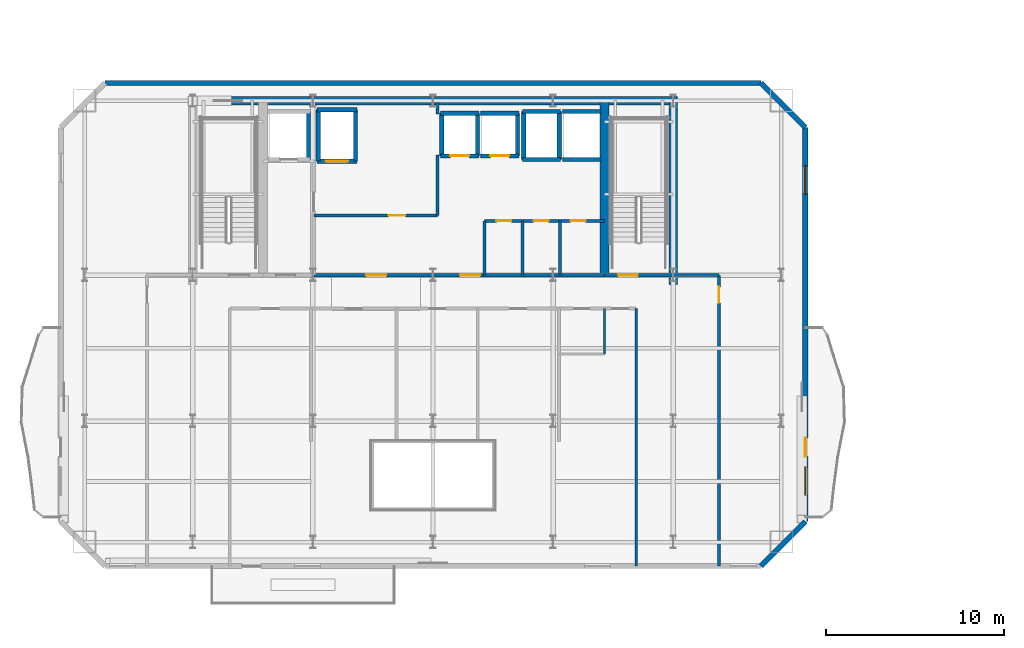
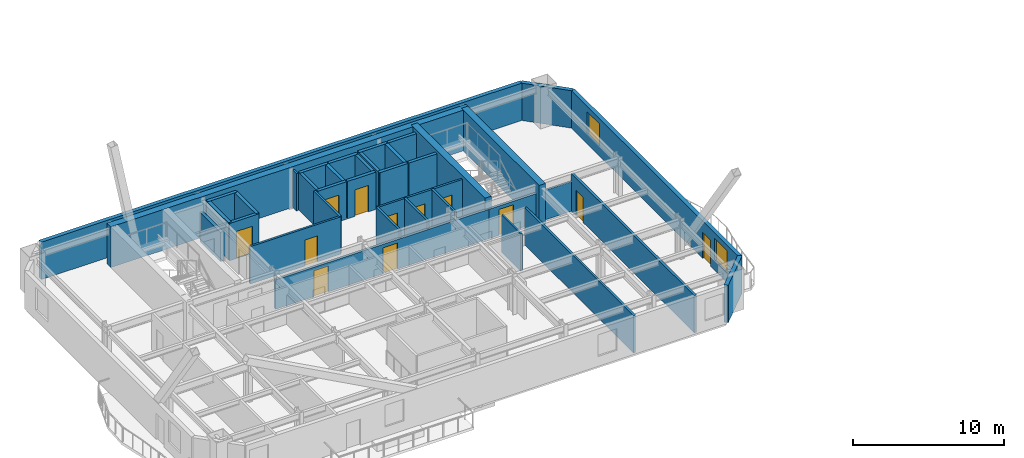
# One storey, part 6 of 13: 38 walls, 12 doors, 2 windows, 14 openings.
"""IFC4 building model written with IfcOpenShell, lengths in metres."""

from ifc_helpers import new_model, si_unit, direction, frame, frame_2d, origin, place, context, subcontext, project, spatial, rectangle, extrude, material, layer, layer_set, type_object, element, fill, save


model = new_model("IFC4")

# Units and contexts
model_context = context("Model", 3, precision=1e-05, world=origin(), true_north=direction((0.0, 1.0)))
body_context = subcontext(model_context, "Body", "Model", "MODEL_VIEW")
ifc_project = project(units=[si_unit("LENGTHUNIT", "METRE"), si_unit("AREAUNIT", "SQUARE_METRE"), si_unit("VOLUMEUNIT", "CUBIC_METRE"), si_unit("PLANEANGLEUNIT", "RADIAN"), si_unit("MASSUNIT", "GRAM", prefix="KILO")], contexts=[model_context])

# Site, building, storey
site_placement = place(None, origin())
site = spatial("IfcSite", under=ifc_project, at=site_placement, CompositionType="ELEMENT")
building_placement = place(site_placement, origin())
building = spatial("IfcBuilding", under=site, at=building_placement, Name="Haevon Station Towers", CompositionType="ELEMENT")
storey_placement = place(building_placement, frame((0.0, 0.0, 165.89990234375)))
storey = spatial("IfcBuildingStorey", under=building, at=storey_placement, Name="L45", CompositionType="ELEMENT", Elevation=165.89990234375)

# Wall, opening, door
ifc_material_1 = material(Name="Gypsum board on steel stud", Category="steel")
ifc_layer_1 = layer(ifc_material_1, 0.179931640625)
ifc_layer_set_1 = layer_set([ifc_layer_1], Name="Gypsum board on steel stud")
wall_type_1 = type_object("IfcWallType", Name="WL-ACU180", PredefinedType="PARTITIONING", material=ifc_layer_set_1)
wall_1_placement = place(storey_placement, frame((53.574951171875, 21.85009765625, 0.0), z_axis=(0.0, 0.0, 1.0), x_axis=(0.0, 1.0, 0.0)))
wall_1 = element("IfcWall", 1, at=wall_1_placement, inside=storey, type_object=wall_type_1, Name="WL-T1PT-L45-06", PredefinedType="PARTITIONING", context=body_context, shape_type="SweptSolid", body=[
    extrude(rectangle(XDim=16.349853515625, YDim=0.179931640625, at=frame_2d((8.1748046875, 0.0))), origin(), (0.0, 0.0, 1.0), 3.030029296875),
])
opening_1_placement = place(wall_1_placement, frame((14.7900390625, 0.0, 0.0)))
opening_1 = element("IfcOpeningElement", 2, at=opening_1_placement, cuts=wall_1, Name="Opening DR-WL-T1PT-L45-06-01", PredefinedType="OPENING", context=body_context, shape_type="SweptSolid", body=[
    extrude(rectangle(XDim=0.89990234375, YDim=2.050048828125, at=frame_2d((0.449951171875, 1.02490234375))), frame((0.0, 0.099853515625, 0.0), z_axis=(0.0, -1.0, 0.0), x_axis=(1.0, 0.0, 0.0)), (0.0, 0.0, 1.0), 0.199951171875),
])
ifc_material_2 = material(Name="Engineered oak timber", Category="wood")
door_type_1 = type_object("IfcDoorType", Name="DR-INT-900", OperationType="NOTDEFINED", PredefinedType="DOOR", material=ifc_material_2)
door_1_placement = place(opening_1_placement, origin())
door_1 = element("IfcDoor", 3, at=door_1_placement, inside=storey, type_object=door_type_1, Name="L45 Tower 1 Room Door 6-1", OperationType="SINGLE_SWING_RIGHT", OverallHeight=2.050048828125, OverallWidth=0.89990234375, PredefinedType="DOOR", context=body_context, shape_type="SweptSolid", body=[
    extrude(rectangle(XDim=0.89990234375, YDim=2.050048828125, at=frame_2d((0.449951171875, 1.02490234375))), frame((0.0, 0.02490234375, 0.0), z_axis=(0.0, -1.0, 0.0), x_axis=(1.0, 0.0, 0.0)), (0.0, 0.0, 1.0), 0.050048828125),
])
fill(opening_1, door_1)

ifc_layer_2 = layer(ifc_material_1, 0.199951171875)
ifc_layer_set_2 = layer_set([ifc_layer_2], Name="Gypsum board on steel stud")
wall_type_2 = type_object("IfcWallType", Name="WL-COR200", PredefinedType="PARTITIONING", material=ifc_layer_set_2)
wall_2_placement = place(storey_placement, frame((47.14990234375, 38.199951171875, 0.0), z_axis=(0.0, 0.0, 1.0), x_axis=(1.0, 0.0, 0.0)))
wall_2 = element("IfcWall", 4, at=wall_2_placement, inside=storey, type_object=wall_type_2, Name="WL-ST-ST2-L45", PredefinedType="PARTITIONING", context=body_context, shape_type="SweptSolid", body=[
    extrude(rectangle(XDim=3.85009765625, YDim=0.199951171875, at=frame_2d((1.925048828125, 0.0))), origin(), (0.0, 0.0, 1.0), 2.380126953125),
])
opening_2_placement = place(wall_2_placement, frame((0.75, 0.0, 0.0)))
opening_2 = element("IfcOpeningElement", 5, at=opening_2_placement, cuts=wall_2, Name="Opening DR-ST-ST2-L45", PredefinedType="OPENING", context=body_context, shape_type="SweptSolid", body=[
    extrude(rectangle(XDim=1.1201171875, YDim=2.10009765625, at=frame_2d((0.56005859375, 1.050048828125))), frame((0.0, 0.10986328125, 0.0), z_axis=(0.0, -1.0, 0.0), x_axis=(1.0, 0.0, 0.0)), (0.0, 0.0, 1.0), 0.219970703125),
])
door_type_2 = type_object("IfcDoorType", Name="DR-ST-1120", OperationType="NOTDEFINED", PredefinedType="DOOR", material=ifc_material_2)
door_2_placement = place(opening_2_placement, origin())
door_2 = element("IfcDoor", 6, at=door_2_placement, inside=storey, type_object=door_type_2, Name="L45 Escape Stair ST2 Fire Door", OperationType="SINGLE_SWING_RIGHT", OverallHeight=2.10009765625, OverallWidth=1.1201171875, PredefinedType="DOOR", context=body_context, shape_type="SweptSolid", body=[
    extrude(rectangle(XDim=1.1201171875, YDim=2.10009765625, at=frame_2d((0.56005859375, 1.050048828125))), frame((0.0, 0.02490234375, 0.0), z_axis=(0.0, -1.0, 0.0), x_axis=(1.0, 0.0, 0.0)), (0.0, 0.0, 1.0), 0.050048828125),
])
fill(opening_2, door_2)

# Wall, openings, doors
wall_3_placement = place(storey_placement, frame((30.800048828125, 38.199951171875, 0.0), z_axis=(0.0, 0.0, 1.0), x_axis=(1.0, 0.0, 0.0)))
wall_3 = element("IfcWall", 7, at=wall_3_placement, inside=storey, type_object=wall_type_2, Name="WL-T1CLB-L45", PredefinedType="PARTITIONING", context=body_context, shape_type="SweptSolid", body=[
    extrude(rectangle(XDim=16.349853515625, YDim=0.199951171875, at=frame_2d((8.1748046875, 0.0))), origin(), (0.0, 0.0, 1.0), 2.380126953125),
])
opening_3_placement = place(wall_3_placement, frame((2.949951171875, 0.0, 0.0)))
opening_3 = element("IfcOpeningElement", 8, at=opening_3_placement, cuts=wall_3, Name="Opening DR-T1CLB-L45-1", PredefinedType="OPENING", context=body_context, shape_type="SweptSolid", body=[
    extrude(rectangle(XDim=1.1201171875, YDim=2.10009765625, at=frame_2d((0.56005859375, 1.050048828125))), frame((0.0, 0.10986328125, 0.0), z_axis=(0.0, -1.0, 0.0), x_axis=(1.0, 0.0, 0.0)), (0.0, 0.0, 1.0), 0.219970703125),
])
opening_4_placement = place(wall_3_placement, frame((8.22998046875, 0.0, 0.0)))
opening_4 = element("IfcOpeningElement", 9, at=opening_4_placement, cuts=wall_3, Name="Opening DR-T1CLB-L45-2", PredefinedType="OPENING", context=body_context, shape_type="SweptSolid", body=[
    extrude(rectangle(XDim=1.1201171875, YDim=2.10009765625, at=frame_2d((0.56005859375, 1.050048828125))), frame((0.0, 0.10986328125, 0.0), z_axis=(0.0, -1.0, 0.0), x_axis=(1.0, 0.0, 0.0)), (0.0, 0.0, 1.0), 0.219970703125),
])
door_3_placement = place(opening_3_placement, origin())
door_3 = element("IfcDoor", 10, at=door_3_placement, inside=storey, type_object=door_type_2, Name="L45 Tower 1 Core Lift Lobby Door 1", OperationType="SINGLE_SWING_LEFT", OverallHeight=2.10009765625, OverallWidth=1.1201171875, PredefinedType="DOOR", context=body_context, shape_type="SweptSolid", body=[
    extrude(rectangle(XDim=1.1201171875, YDim=2.10009765625, at=frame_2d((0.56005859375, 1.050048828125))), frame((0.0, 0.02490234375, 0.0), z_axis=(0.0, -1.0, 0.0), x_axis=(1.0, 0.0, 0.0)), (0.0, 0.0, 1.0), 0.050048828125),
])
fill(opening_3, door_3)
door_4_placement = place(opening_4_placement, origin())
door_4 = element("IfcDoor", 11, at=door_4_placement, inside=storey, type_object=door_type_2, Name="L45 Tower 1 Core Lift Lobby Door 2", OperationType="SINGLE_SWING_RIGHT", OverallHeight=2.10009765625, OverallWidth=1.1201171875, PredefinedType="DOOR", context=body_context, shape_type="SweptSolid", body=[
    extrude(rectangle(XDim=1.1201171875, YDim=2.10009765625, at=frame_2d((0.56005859375, 1.050048828125))), frame((0.0, 0.02490234375, 0.0), z_axis=(0.0, -1.0, 0.0), x_axis=(1.0, 0.0, 0.0)), (0.0, 0.0, 1.0), 0.050048828125),
])
fill(opening_4, door_4)

# Walls
ifc_material_3 = material(Name="Concrete C60/75", Category="concrete")
ifc_layer_3 = layer(ifc_material_3, 0.5)
ifc_layer_set_3 = layer_set([ifc_layer_3], Name="Concrete C60/75")
wall_type_3 = type_object("IfcWallType", Name="WL-CR500", PredefinedType="SHEAR", material=ifc_layer_set_3)
wall_4_placement = place(storey_placement, frame((23.75, 48.0, 0.0), z_axis=(0.0, 0.0, 1.0), x_axis=(1.0, 0.0, 0.0)))
element("IfcWall", 12, at=wall_4_placement, inside=storey, type_object=wall_type_3, Name="WL-T1CR-L45-N", PredefinedType="SHEAR", context=body_context, shape_type="SweptSolid", body=[
    extrude(rectangle(XDim=27.5, YDim=0.5, at=frame_2d((13.75, 0.0))), origin(), (0.0, 0.0, 1.0), 3.300048828125),
])
wall_5_placement = place(storey_placement, frame((51.0, 37.679931640625, 0.0), z_axis=(0.0, 0.0, 1.0), x_axis=(0.0, 1.0, 0.0)))
element("IfcWall", 13, at=wall_5_placement, inside=storey, type_object=wall_type_3, Name="WL-T1CR-L45-E", PredefinedType="SHEAR", context=body_context, shape_type="SweptSolid", body=[
    extrude(rectangle(XDim=10.320068359375, YDim=0.5, at=frame_2d((5.16015625, 0.0))), origin(), (0.0, 0.0, 1.0), 3.300048828125),
])
wall_6_placement = place(storey_placement, frame((47.14990234375, 38.199951171875, 0.0), z_axis=(0.0, 0.0, 1.0), x_axis=(0.0, 1.0, 0.0)))
element("IfcWall", 14, at=wall_6_placement, inside=storey, type_object=wall_type_3, Name="WL-T1CR-L45-M2", PredefinedType="SHEAR", context=body_context, shape_type="SweptSolid", body=[
    extrude(rectangle(XDim=9.800048828125, YDim=0.5, at=frame_2d((4.89990234375, 0.0))), origin(), (0.0, 0.0, 1.0), 3.300048828125),
])
ifc_material_4 = material(Name="Precast concrete C45/55", Category="concrete")
ifc_layer_4 = layer(ifc_material_4, 0.300048828125)
ifc_layer_set_4 = layer_set([ifc_layer_4], Name="Precast concrete C45/55")
wall_type_4 = type_object("IfcWallType", Name="WL-EXT-PIER300", PredefinedType="SOLIDWALL", material=ifc_layer_set_4)
wall_7_placement = place(storey_placement, frame((19.074951171875, 49.0, 0.0), z_axis=(0.0, 0.0, 1.0), x_axis=(1.0, 0.0, 0.0)))
element("IfcWall", 15, at=wall_7_placement, inside=storey, type_object=wall_type_4, Name="WL-T1-L45-N", PredefinedType="SOLIDWALL", context=body_context, shape_type="SweptSolid", body=[
    extrude(rectangle(XDim=36.85009765625, YDim=0.300048828125, at=frame_2d((18.425048828125, 0.0))), origin(), (0.0, 0.0, 1.0), 3.030029296875),
])
wall_8_placement = place(storey_placement, frame((55.925048828125, 49.0, 0.0), z_axis=(0.0, 0.0, 1.0), x_axis=(0.707106781187, -0.707106781187, 0.0)))
element("IfcWall", 16, at=wall_8_placement, inside=storey, type_object=wall_type_4, Name="WL-T1-L45-NEC", PredefinedType="SOLIDWALL", context=body_context, shape_type="SweptSolid", body=[
    extrude(rectangle(XDim=3.53564453125, YDim=0.300048828125, at=frame_2d((1.767822265625, 0.0))), origin(), (0.0, 0.0, 1.0), 3.030029296875),
])

# Wall, openings, door, windows
wall_9_placement = place(storey_placement, frame((58.425048828125, 46.5, 0.0), z_axis=(0.0, 0.0, 1.0), x_axis=(0.0, -1.0, 0.0)))
wall_9 = element("IfcWall", 17, at=wall_9_placement, inside=storey, type_object=wall_type_4, Name="WL-T1-L45-E", PredefinedType="SOLIDWALL", context=body_context, shape_type="SweptSolid", body=[
    extrude(rectangle(XDim=22.14990234375, YDim=0.300048828125, at=frame_2d((11.074951171875, 0.0))), origin(), (0.0, 0.0, 1.0), 3.030029296875),
])
opening_5_placement = place(wall_9_placement, frame((17.449951171875, 0.0, 0.0)))
opening_5 = element("IfcOpeningElement", 18, at=opening_5_placement, cuts=wall_9, Name="Opening DR-T1-SCAL-L45-E", PredefinedType="OPENING", context=body_context, shape_type="SweptSolid", body=[
    extrude(rectangle(XDim=1.050048828125, YDim=2.10009765625, at=frame_2d((0.52490234375, 1.050048828125))), frame((0.0, 0.159912109375, 0.0), z_axis=(0.0, -1.0, 0.0), x_axis=(1.0, 0.0, 0.0)), (0.0, 0.0, 1.0), 0.320068359375),
])
opening_6_placement = place(wall_9_placement, frame((2.153564453125, 0.0, 0.800048828125)))
opening_6 = element("IfcOpeningElement", 19, at=opening_6_placement, cuts=wall_9, Name="Opening WN-END160", PredefinedType="OPENING", context=body_context, shape_type="SweptSolid", body=[
    extrude(rectangle(XDim=1.60009765625, YDim=1.800048828125, at=frame_2d((0.800048828125, 0.89990234375))), frame((0.0, 0.159912109375, 0.0), z_axis=(0.0, -1.0, 0.0), x_axis=(1.0, 0.0, 0.0)), (0.0, 0.0, 1.0), 0.320068359375),
])
opening_7_placement = place(wall_9_placement, frame((19.0732421875, 0.0, 0.800048828125)))
opening_7 = element("IfcOpeningElement", 20, at=opening_7_placement, cuts=wall_9, Name="Opening WN-END160", PredefinedType="OPENING", context=body_context, shape_type="SweptSolid", body=[
    extrude(rectangle(XDim=1.60009765625, YDim=1.800048828125, at=frame_2d((0.800048828125, 0.89990234375))), frame((0.0, 0.159912109375, 0.0), z_axis=(0.0, -1.0, 0.0), x_axis=(1.0, 0.0, 0.0)), (0.0, 0.0, 1.0), 0.320068359375),
])
ifc_material_5 = material(Name="Thermally broken anodised aluminium and laminated safety glass", Category="aluminium")
door_type_3 = type_object("IfcDoorType", Name="DR-BALC-1050", OperationType="NOTDEFINED", PredefinedType="DOOR", material=ifc_material_5)
door_5_placement = place(opening_5_placement, origin())
door_5 = element("IfcDoor", 21, at=door_5_placement, inside=storey, type_object=door_type_3, Name="Tower 1 L45 East Scalloped Balcony Door", OperationType="SINGLE_SWING_LEFT", OverallHeight=2.10009765625, OverallWidth=1.050048828125, PredefinedType="DOOR", context=body_context, shape_type="SweptSolid", body=[
    extrude(rectangle(XDim=1.050048828125, YDim=2.10009765625, at=frame_2d((0.52490234375, 1.050048828125))), frame((0.0, 0.02490234375, 0.0), z_axis=(0.0, -1.0, 0.0), x_axis=(1.0, 0.0, 0.0)), (0.0, 0.0, 1.0), 0.050048828125),
])
fill(opening_5, door_5)
ifc_material_6 = material(Name="Low-E triple glazing in thermally broken aluminium", Category="aluminium")
window_type = type_object("IfcWindowType", Name="WN-END160", PartitioningType="SINGLE_PANEL", PredefinedType="WINDOW", material=ifc_material_6)
window_1_placement = place(opening_6_placement, origin())
window_1 = element("IfcWindow", 22, at=window_1_placement, inside=storey, type_object=window_type, Name="WN-T1-L45-E01", OverallHeight=1.800048828125, OverallWidth=1.60009765625, PartitioningType="SINGLE_PANEL", PredefinedType="WINDOW", context=body_context, shape_type="SweptSolid", body=[
    extrude(rectangle(XDim=1.60009765625, YDim=1.800048828125, at=frame_2d((0.800048828125, 0.89990234375))), frame((0.0, 0.030029296875, 0.0), z_axis=(0.0, -1.0, 0.0), x_axis=(1.0, 0.0, 0.0)), (0.0, 0.0, 1.0), 0.06005859375),
])
fill(opening_6, window_1)
window_2_placement = place(opening_7_placement, origin())
window_2 = element("IfcWindow", 23, at=window_2_placement, inside=storey, type_object=window_type, Name="WN-T1-L45-E02", OverallHeight=1.800048828125, OverallWidth=1.60009765625, PartitioningType="SINGLE_PANEL", PredefinedType="WINDOW", context=body_context, shape_type="SweptSolid", body=[
    extrude(rectangle(XDim=1.60009765625, YDim=1.800048828125, at=frame_2d((0.800048828125, 0.89990234375))), frame((0.0, 0.030029296875, 0.0), z_axis=(0.0, -1.0, 0.0), x_axis=(1.0, 0.0, 0.0)), (0.0, 0.0, 1.0), 0.06005859375),
])
fill(opening_7, window_2)

# Walls
wall_10_placement = place(storey_placement, frame((58.425048828125, 24.35009765625, 0.0), z_axis=(0.0, 0.0, 1.0), x_axis=(-0.707106781187, -0.707106781187, 0.0)))
element("IfcWall", 24, at=wall_10_placement, inside=storey, type_object=wall_type_4, Name="WL-T1-L45-SEC", PredefinedType="SOLIDWALL", context=body_context, shape_type="SweptSolid", body=[
    extrude(rectangle(XDim=3.53564453125, YDim=0.300048828125, at=frame_2d((1.767822265625, 0.0))), origin(), (0.0, 0.0, 1.0), 3.030029296875),
])
ifc_layer_5 = layer(ifc_material_1, 0.125)
ifc_layer_set_5 = layer_set([ifc_layer_5], Name="Gypsum board on steel stud")
wall_type_5 = type_object("IfcWallType", Name="WL-PRT125", PredefinedType="PARTITIONING", material=ifc_layer_set_5)
wall_11_placement = place(storey_placement, frame((47.139892578125, 33.77001953125, 0.0), z_axis=(0.0, 0.0, 1.0), x_axis=(0.0, 1.0, 0.0)))
element("IfcWall", 25, at=wall_11_placement, inside=storey, type_object=wall_type_5, Name="WL-T1PT-L45-19", PredefinedType="PARTITIONING", context=body_context, shape_type="SweptSolid", body=[
    extrude(rectangle(XDim=2.550048828125, YDim=0.125, at=frame_2d((1.27490234375, 0.0))), origin(), (0.0, 0.0, 1.0), 3.030029296875),
])

# Wall, opening, door
ifc_layer_6 = layer(ifc_material_1, 0.159912109375)
ifc_layer_set_6 = layer_set([ifc_layer_6], Name="Gypsum board on steel stud")
wall_type_6 = type_object("IfcWallType", Name="WL-PRT160", PredefinedType="PARTITIONING", material=ifc_layer_set_6)
wall_12_placement = place(storey_placement, frame((30.800048828125, 41.550048828125, 0.0), z_axis=(0.0, 0.0, 1.0), x_axis=(1.0, 0.0, 0.0)))
wall_12 = element("IfcWall", 26, at=wall_12_placement, inside=storey, type_object=wall_type_6, Name="WL-T1CW-L45-01", PredefinedType="PARTITIONING", context=body_context, shape_type="SweptSolid", body=[
    extrude(rectangle(XDim=6.949951171875, YDim=0.159912109375, at=frame_2d((3.47509765625, 0.0))), origin(), (0.0, 0.0, 1.0), 3.030029296875),
])
opening_8_placement = place(wall_12_placement, frame((4.199951171875, 0.0, 0.0)))
opening_8 = element("IfcOpeningElement", 27, at=opening_8_placement, cuts=wall_12, Name="Opening DR-WL-T1CW-L45-01-1", PredefinedType="OPENING", context=body_context, shape_type="SweptSolid", body=[
    extrude(rectangle(XDim=0.949951171875, YDim=2.10009765625, at=frame_2d((0.47509765625, 1.050048828125))), frame((0.0, 0.08984375, 0.0), z_axis=(0.0, -1.0, 0.0), x_axis=(1.0, 0.0, 0.0)), (0.0, 0.0, 1.0), 0.179931640625),
])
door_type_4 = type_object("IfcDoorType", Name="DR-FD60-950", OperationType="NOTDEFINED", PredefinedType="DOOR", material=ifc_material_2)
door_6_placement = place(opening_8_placement, origin())
door_6 = element("IfcDoor", 28, at=door_6_placement, inside=storey, type_object=door_type_4, Name="L45 Tower 1 Core Room Door 1-1", OperationType="SINGLE_SWING_LEFT", OverallHeight=2.10009765625, OverallWidth=0.949951171875, PredefinedType="DOOR", context=body_context, shape_type="SweptSolid", body=[
    extrude(rectangle(XDim=0.949951171875, YDim=2.10009765625, at=frame_2d((0.47509765625, 1.050048828125))), frame((0.0, 0.02490234375, 0.0), z_axis=(0.0, -1.0, 0.0), x_axis=(1.0, 0.0, 0.0)), (0.0, 0.0, 1.0), 0.050048828125),
])
fill(opening_8, door_6)

# Walls
wall_13_placement = place(storey_placement, frame((37.75, 41.550048828125, 0.0), z_axis=(0.0, 0.0, 1.0), x_axis=(0.0, 1.0, 0.0)))
element("IfcWall", 29, at=wall_13_placement, inside=storey, type_object=wall_type_6, Name="WL-T1CW-L45-02", PredefinedType="PARTITIONING", context=body_context, shape_type="SweptSolid", body=[
    extrude(rectangle(XDim=3.39990234375, YDim=0.159912109375, at=frame_2d((1.699951171875, 0.0))), origin(), (0.0, 0.0, 1.0), 3.030029296875),
])
wall_14_placement = place(storey_placement, frame((37.75, 47.25, 0.0), z_axis=(0.0, 0.0, 1.0), x_axis=(0.0, 1.0, 0.0)))
element("IfcWall", 30, at=wall_14_placement, inside=storey, type_object=wall_type_6, Name="WL-T1CW-L45-03", PredefinedType="PARTITIONING", context=body_context, shape_type="SweptSolid", body=[
    extrude(rectangle(XDim=0.64990234375, YDim=0.159912109375, at=frame_2d((0.324951171875, 0.0))), origin(), (0.0, 0.0, 1.0), 3.030029296875),
])
for number, where, z_axis, x_axis, name in (
    (31, (40.39990234375, 38.199951171875, 0.0), (0.0, 0.0, 1.0), (0.0, 1.0, 0.0), "WL-T1CW-L45-04"),
    (32, (42.530029296875, 38.199951171875, 0.0), (0.0, 0.0, 1.0), (0.0, 1.0, 0.0), "WL-T1CW-L45-05"),
    (33, (44.6298828125, 38.199951171875, 0.0), (0.0, 0.0, 1.0), (0.0, 1.0, 0.0), "WL-T1CW-L45-06"),
):
    element("IfcWall", number, at=place(storey_placement, frame(where, z_axis=z_axis, x_axis=x_axis)), inside=storey, type_object=wall_type_6, Name=name, PredefinedType="PARTITIONING", context=body_context, shape_type="SweptSolid", body=[
        extrude(rectangle(XDim=3.050048828125, YDim=0.159912109375, at=frame_2d((1.52490234375, 0.0))), origin(), (0.0, 0.0, 1.0), 3.030029296875),
    ])

# Wall, openings, doors
wall_15_placement = place(storey_placement, frame((40.39990234375, 41.25, 0.0), z_axis=(0.0, 0.0, 1.0), x_axis=(1.0, 0.0, 0.0)))
wall_15 = element("IfcWall", 34, at=wall_15_placement, inside=storey, type_object=wall_type_6, Name="WL-T1CW-L45-07", PredefinedType="PARTITIONING", context=body_context, shape_type="SweptSolid", body=[
    extrude(rectangle(XDim=6.75, YDim=0.159912109375, at=frame_2d((3.375, 0.0))), origin(), (0.0, 0.0, 1.0), 3.030029296875),
])
opening_9_placement = place(wall_15_placement, frame((0.659912109375, 0.0, 0.0)))
opening_9 = element("IfcOpeningElement", 35, at=opening_9_placement, cuts=wall_15, Name="Opening DR-WL-T1CW-L45-07-1", PredefinedType="OPENING", context=body_context, shape_type="SweptSolid", body=[
    extrude(rectangle(XDim=0.85009765625, YDim=2.050048828125, at=frame_2d((0.425048828125, 1.02490234375))), frame((0.0, 0.08984375, 0.0), z_axis=(0.0, -1.0, 0.0), x_axis=(1.0, 0.0, 0.0)), (0.0, 0.0, 1.0), 0.179931640625),
])
opening_10_placement = place(wall_15_placement, frame((2.7548828125, 0.0, 0.0)))
opening_10 = element("IfcOpeningElement", 36, at=opening_10_placement, cuts=wall_15, Name="Opening DR-WL-T1CW-L45-07-2", PredefinedType="OPENING", context=body_context, shape_type="SweptSolid", body=[
    extrude(rectangle(XDim=0.85009765625, YDim=2.050048828125, at=frame_2d((0.425048828125, 1.02490234375))), frame((0.0, 0.08984375, 0.0), z_axis=(0.0, -1.0, 0.0), x_axis=(1.0, 0.0, 0.0)), (0.0, 0.0, 1.0), 0.179931640625),
])
opening_11_placement = place(wall_15_placement, frame((4.830078125, 0.0, 0.0)))
opening_11 = element("IfcOpeningElement", 37, at=opening_11_placement, cuts=wall_15, Name="Opening DR-WL-T1CW-L45-07-3", PredefinedType="OPENING", context=body_context, shape_type="SweptSolid", body=[
    extrude(rectangle(XDim=0.85009765625, YDim=2.050048828125, at=frame_2d((0.425048828125, 1.02490234375))), frame((0.0, 0.08984375, 0.0), z_axis=(0.0, -1.0, 0.0), x_axis=(1.0, 0.0, 0.0)), (0.0, 0.0, 1.0), 0.179931640625),
])
door_type_5 = type_object("IfcDoorType", Name="DR-FD30-850", OperationType="NOTDEFINED", PredefinedType="DOOR", material=ifc_material_2)
door_7_placement = place(opening_9_placement, origin())
door_7 = element("IfcDoor", 38, at=door_7_placement, inside=storey, type_object=door_type_5, Name="L45 Tower 1 Core Room Door 7-1", OperationType="SINGLE_SWING_RIGHT", OverallHeight=2.050048828125, OverallWidth=0.85009765625, PredefinedType="DOOR", context=body_context, shape_type="SweptSolid", body=[
    extrude(rectangle(XDim=0.85009765625, YDim=2.050048828125, at=frame_2d((0.425048828125, 1.02490234375))), frame((0.0, 0.02490234375, 0.0), z_axis=(0.0, -1.0, 0.0), x_axis=(1.0, 0.0, 0.0)), (0.0, 0.0, 1.0), 0.050048828125),
])
fill(opening_9, door_7)
door_8_placement = place(opening_10_placement, origin())
door_8 = element("IfcDoor", 39, at=door_8_placement, inside=storey, type_object=door_type_5, Name="L45 Tower 1 Core Room Door 7-2", OperationType="SINGLE_SWING_LEFT", OverallHeight=2.050048828125, OverallWidth=0.85009765625, PredefinedType="DOOR", context=body_context, shape_type="SweptSolid", body=[
    extrude(rectangle(XDim=0.85009765625, YDim=2.050048828125, at=frame_2d((0.425048828125, 1.02490234375))), frame((0.0, 0.02490234375, 0.0), z_axis=(0.0, -1.0, 0.0), x_axis=(1.0, 0.0, 0.0)), (0.0, 0.0, 1.0), 0.050048828125),
])
fill(opening_10, door_8)
door_9_placement = place(opening_11_placement, origin())
door_9 = element("IfcDoor", 40, at=door_9_placement, inside=storey, type_object=door_type_5, Name="L45 Tower 1 Core Room Door 7-3", OperationType="SINGLE_SWING_RIGHT", OverallHeight=2.050048828125, OverallWidth=0.85009765625, PredefinedType="DOOR", context=body_context, shape_type="SweptSolid", body=[
    extrude(rectangle(XDim=0.85009765625, YDim=2.050048828125, at=frame_2d((0.425048828125, 1.02490234375))), frame((0.0, 0.02490234375, 0.0), z_axis=(0.0, -1.0, 0.0), x_axis=(1.0, 0.0, 0.0)), (0.0, 0.0, 1.0), 0.050048828125),
])
fill(opening_11, door_9)

# Walls
wall_16_placement = place(storey_placement, frame((48.919921875, 21.85009765625, 0.0), z_axis=(0.0, 0.0, 1.0), x_axis=(0.0, 1.0, 0.0)))
element("IfcWall", 41, at=wall_16_placement, inside=storey, type_object=wall_type_6, Name="WL-T1PT-L45-02", PredefinedType="PARTITIONING", context=body_context, shape_type="SweptSolid", body=[
    extrude(rectangle(XDim=14.469970703125, YDim=0.159912109375, at=frame_2d((7.23486328125, 0.0))), origin(), (0.0, 0.0, 1.0), 3.030029296875),
])
wall_17_placement = place(storey_placement, frame((51.0, 38.199951171875, 0.0), z_axis=(0.0, 0.0, 1.0), x_axis=(1.0, 0.0, 0.0)))
element("IfcWall", 42, at=wall_17_placement, inside=storey, type_object=wall_type_6, Name="WL-T1PT-L45-04", PredefinedType="PARTITIONING", context=body_context, shape_type="SweptSolid", body=[
    extrude(rectangle(XDim=2.574951171875, YDim=0.159912109375, at=frame_2d((1.28759765625, 0.0))), origin(), (0.0, 0.0, 1.0), 2.380126953125),
])
ifc_material_7 = material(Name="Concrete C40/50", Category="concrete")
ifc_layer_7 = layer(ifc_material_7, 0.239990234375)
ifc_layer_set_7 = layer_set([ifc_layer_7], Name="Concrete C40/50")
wall_type_7 = type_object("IfcWallType", Name="WL-SHF240", PredefinedType="PARTITIONING", material=ifc_layer_set_7)
wall_18_placement = place(storey_placement, frame((30.5, 44.699951171875, 0.0), z_axis=(0.0, 0.0, 1.0), x_axis=(0.0, 1.0, 0.0)))
element("IfcWall", 43, at=wall_18_placement, inside=storey, type_object=wall_type_7, Name="WL-SHF-FL1-L45-E", PredefinedType="PARTITIONING", context=body_context, shape_type="SweptSolid", body=[
    extrude(rectangle(XDim=2.699951171875, YDim=0.239990234375, at=frame_2d((1.35009765625, 0.0))), origin(), (0.0, 0.0, 1.0), 2.380126953125),
])

# Wall, opening, door
wall_19_placement = place(storey_placement, frame((30.969970703125, 44.60009765625, 0.0), z_axis=(0.0, 0.0, 1.0), x_axis=(1.0, 0.0, 0.0)))
wall_19 = element("IfcWall", 44, at=wall_19_placement, inside=storey, type_object=wall_type_7, Name="WL-SHF-SL1-L45", PredefinedType="PARTITIONING", context=body_context, shape_type="SweptSolid", body=[
    extrude(rectangle(XDim=2.260009765625, YDim=0.239990234375, at=frame_2d((1.1298828125, 0.0))), origin(), (0.0, 0.0, 1.0), 3.030029296875),
])
opening_12_placement = place(wall_19_placement, frame((0.5048828125, 0.0, 0.0)))
opening_12 = element("IfcOpeningElement", 45, at=opening_12_placement, cuts=wall_19, Name="Opening LD-SL1-L45", PredefinedType="OPENING", context=body_context, shape_type="SweptSolid", body=[
    extrude(rectangle(XDim=1.25, YDim=2.199951171875, at=frame_2d((0.625, 1.10009765625))), frame((0.0, 0.1298828125, 0.0), z_axis=(0.0, -1.0, 0.0), x_axis=(1.0, 0.0, 0.0)), (0.0, 0.0, 1.0), 0.260009765625),
])
ifc_material_8 = material(Name="Stainless steel and rated core", Category="steel")
door_type_6 = type_object("IfcDoorType", Name="LD-SL1250", OperationType="SLIDING_TO_LEFT", PredefinedType="DOOR", material=ifc_material_8)
door_10_placement = place(opening_12_placement, origin())
door_10 = element("IfcDoor", 46, at=door_10_placement, inside=storey, type_object=door_type_6, Name="L45 Lift SL1 Sliding Landing Door", OperationType="SLIDING_TO_LEFT", OverallHeight=2.199951171875, OverallWidth=1.25, PredefinedType="DOOR", context=body_context, shape_type="SweptSolid", body=[
    extrude(rectangle(XDim=1.25, YDim=2.199951171875, at=frame_2d((0.625, 1.10009765625))), frame((0.0, 0.02490234375, 0.0), z_axis=(0.0, -1.0, 0.0), x_axis=(1.0, 0.0, 0.0)), (0.0, 0.0, 1.0), 0.050048828125),
])
fill(opening_12, door_10)

# Walls
wall_20_placement = place(storey_placement, frame((30.969970703125, 47.5, 0.0), z_axis=(0.0, 0.0, 1.0), x_axis=(1.0, 0.0, 0.0)))
element("IfcWall", 47, at=wall_20_placement, inside=storey, type_object=wall_type_7, Name="WL-SHF-SL1-L45-N", PredefinedType="PARTITIONING", context=body_context, shape_type="SweptSolid", body=[
    extrude(rectangle(XDim=2.260009765625, YDim=0.239990234375, at=frame_2d((1.1298828125, 0.0))), origin(), (0.0, 0.0, 1.0), 3.030029296875),
])
for number, where, z_axis, x_axis, name in (
    (48, (31.050048828125, 44.60009765625, 0.0), (0.0, 0.0, 1.0), (0.0, 1.0, 0.0), "WL-SHF-SL1-L45-W"),
    (49, (33.14990234375, 44.60009765625, 0.0), (0.0, 0.0, 1.0), (0.0, 1.0, 0.0), "WL-SHF-SL1-L45-E"),
):
    element("IfcWall", number, at=place(storey_placement, frame(where, z_axis=z_axis, x_axis=x_axis)), inside=storey, type_object=wall_type_7, Name=name, PredefinedType="PARTITIONING", context=body_context, shape_type="SweptSolid", body=[
        extrude(rectangle(XDim=2.89990234375, YDim=0.239990234375, at=frame_2d((1.449951171875, 0.0))), origin(), (0.0, 0.0, 1.0), 3.030029296875),
    ])

# Wall, opening, door
wall_21_placement = place(storey_placement, frame((37.919921875, 44.89990234375, 0.0), z_axis=(0.0, 0.0, 1.0), x_axis=(1.0, 0.0, 0.0)))
wall_21 = element("IfcWall", 50, at=wall_21_placement, inside=storey, type_object=wall_type_7, Name="WL-SHF-PL3-L45", PredefinedType="PARTITIONING", context=body_context, shape_type="SweptSolid", body=[
    extrude(rectangle(XDim=2.16015625, YDim=0.239990234375, at=frame_2d((1.080078125, 0.0))), origin(), (0.0, 0.0, 1.0), 3.030029296875),
])
opening_13_placement = place(wall_21_placement, frame((0.554931640625, 0.0, 0.0)))
opening_13 = element("IfcOpeningElement", 51, at=opening_13_placement, cuts=wall_21, Name="Opening LD-PL3-L45", PredefinedType="OPENING", context=body_context, shape_type="SweptSolid", body=[
    extrude(rectangle(XDim=1.050048828125, YDim=2.14990234375, at=frame_2d((0.52490234375, 1.074951171875))), frame((0.0, 0.1298828125, 0.0), z_axis=(0.0, -1.0, 0.0), x_axis=(1.0, 0.0, 0.0)), (0.0, 0.0, 1.0), 0.260009765625),
])
door_type_7 = type_object("IfcDoorType", Name="LD-PL1050", OperationType="SLIDING_TO_LEFT", PredefinedType="DOOR", material=ifc_material_8)
door_11_placement = place(opening_13_placement, origin())
door_11 = element("IfcDoor", 52, at=door_11_placement, inside=storey, type_object=door_type_7, Name="L45 Lift PL3 Sliding Landing Door", OperationType="SLIDING_TO_LEFT", OverallHeight=2.14990234375, OverallWidth=1.050048828125, PredefinedType="DOOR", context=body_context, shape_type="SweptSolid", body=[
    extrude(rectangle(XDim=1.050048828125, YDim=2.14990234375, at=frame_2d((0.52490234375, 1.074951171875))), frame((0.0, 0.02490234375, 0.0), z_axis=(0.0, -1.0, 0.0), x_axis=(1.0, 0.0, 0.0)), (0.0, 0.0, 1.0), 0.050048828125),
])
fill(opening_13, door_11)

# Walls
wall_22_placement = place(storey_placement, frame((37.919921875, 47.300048828125, 0.0), z_axis=(0.0, 0.0, 1.0), x_axis=(1.0, 0.0, 0.0)))
element("IfcWall", 53, at=wall_22_placement, inside=storey, type_object=wall_type_7, Name="WL-SHF-PL3-L45-N", PredefinedType="PARTITIONING", context=body_context, shape_type="SweptSolid", body=[
    extrude(rectangle(XDim=2.16015625, YDim=0.239990234375, at=frame_2d((1.080078125, 0.0))), origin(), (0.0, 0.0, 1.0), 3.030029296875),
])
for number, where, z_axis, x_axis, name in (
    (54, (38.0, 44.89990234375, 0.0), (0.0, 0.0, 1.0), (0.0, 1.0, 0.0), "WL-SHF-PL3-L45-W"),
    (55, (40.0, 44.89990234375, 0.0), (0.0, 0.0, 1.0), (0.0, 1.0, 0.0), "WL-SHF-PL3-L45-E"),
):
    element("IfcWall", number, at=place(storey_placement, frame(where, z_axis=z_axis, x_axis=x_axis)), inside=storey, type_object=wall_type_7, Name=name, PredefinedType="PARTITIONING", context=body_context, shape_type="SweptSolid", body=[
        extrude(rectangle(XDim=2.400146484375, YDim=0.239990234375, at=frame_2d((1.2001953125, 0.0))), origin(), (0.0, 0.0, 1.0), 3.030029296875),
    ])

# Wall, opening, door
wall_23_placement = place(storey_placement, frame((40.169921875, 44.89990234375, 0.0), z_axis=(0.0, 0.0, 1.0), x_axis=(1.0, 0.0, 0.0)))
wall_23 = element("IfcWall", 56, at=wall_23_placement, inside=storey, type_object=wall_type_7, Name="WL-SHF-PL4-L45", PredefinedType="PARTITIONING", context=body_context, shape_type="SweptSolid", body=[
    extrude(rectangle(XDim=2.16015625, YDim=0.239990234375, at=frame_2d((1.080078125, 0.0))), origin(), (0.0, 0.0, 1.0), 3.030029296875),
])
opening_14_placement = place(wall_23_placement, frame((0.554931640625, 0.0, 0.0)))
opening_14 = element("IfcOpeningElement", 57, at=opening_14_placement, cuts=wall_23, Name="Opening LD-PL4-L45", PredefinedType="OPENING", context=body_context, shape_type="SweptSolid", body=[
    extrude(rectangle(XDim=1.050048828125, YDim=2.14990234375, at=frame_2d((0.52490234375, 1.074951171875))), frame((0.0, 0.1298828125, 0.0), z_axis=(0.0, -1.0, 0.0), x_axis=(1.0, 0.0, 0.0)), (0.0, 0.0, 1.0), 0.260009765625),
])
door_12_placement = place(opening_14_placement, origin())
door_12 = element("IfcDoor", 58, at=door_12_placement, inside=storey, type_object=door_type_7, Name="L45 Lift PL4 Sliding Landing Door", OperationType="SLIDING_TO_LEFT", OverallHeight=2.14990234375, OverallWidth=1.050048828125, PredefinedType="DOOR", context=body_context, shape_type="SweptSolid", body=[
    extrude(rectangle(XDim=1.050048828125, YDim=2.14990234375, at=frame_2d((0.52490234375, 1.074951171875))), frame((0.0, 0.02490234375, 0.0), z_axis=(0.0, -1.0, 0.0), x_axis=(1.0, 0.0, 0.0)), (0.0, 0.0, 1.0), 0.050048828125),
])
fill(opening_14, door_12)

# Walls
wall_24_placement = place(storey_placement, frame((40.169921875, 47.300048828125, 0.0), z_axis=(0.0, 0.0, 1.0), x_axis=(1.0, 0.0, 0.0)))
element("IfcWall", 59, at=wall_24_placement, inside=storey, type_object=wall_type_7, Name="WL-SHF-PL4-L45-N", PredefinedType="PARTITIONING", context=body_context, shape_type="SweptSolid", body=[
    extrude(rectangle(XDim=2.16015625, YDim=0.239990234375, at=frame_2d((1.080078125, 0.0))), origin(), (0.0, 0.0, 1.0), 3.030029296875),
])
wall_25_placement = place(storey_placement, frame((42.25, 44.89990234375, 0.0), z_axis=(0.0, 0.0, 1.0), x_axis=(0.0, 1.0, 0.0)))
element("IfcWall", 60, at=wall_25_placement, inside=storey, type_object=wall_type_7, Name="WL-SHF-PL4-L45-E", PredefinedType="PARTITIONING", context=body_context, shape_type="SweptSolid", body=[
    extrude(rectangle(XDim=2.400146484375, YDim=0.239990234375, at=frame_2d((1.2001953125, 0.0))), origin(), (0.0, 0.0, 1.0), 3.030029296875),
])
for number, where, z_axis, x_axis, name in (
    (61, (42.52001953125, 44.699951171875, 0.0), (0.0, 0.0, 1.0), (1.0, 0.0, 0.0), "WL-SHF-PL5-L45"),
    (62, (42.52001953125, 47.39990234375, 0.0), (0.0, 0.0, 1.0), (1.0, 0.0, 0.0), "WL-SHF-PL5-L45-N"),
):
    element("IfcWall", number, at=place(storey_placement, frame(where, z_axis=z_axis, x_axis=x_axis)), inside=storey, type_object=wall_type_7, Name=name, PredefinedType="PARTITIONING", context=body_context, shape_type="SweptSolid", body=[
        extrude(rectangle(XDim=2.159912109375, YDim=0.239990234375, at=frame_2d((1.080078125, 0.0))), origin(), (0.0, 0.0, 1.0), 3.030029296875),
    ])
for number, where, z_axis, x_axis, name in (
    (63, (42.60009765625, 44.699951171875, 0.0), (0.0, 0.0, 1.0), (0.0, 1.0, 0.0), "WL-SHF-PL5-L45-W"),
    (64, (44.60009765625, 44.699951171875, 0.0), (0.0, 0.0, 1.0), (0.0, 1.0, 0.0), "WL-SHF-PL5-L45-E"),
):
    element("IfcWall", number, at=place(storey_placement, frame(where, z_axis=z_axis, x_axis=x_axis)), inside=storey, type_object=wall_type_7, Name=name, PredefinedType="PARTITIONING", context=body_context, shape_type="SweptSolid", body=[
        extrude(rectangle(XDim=2.699951171875, YDim=0.239990234375, at=frame_2d((1.35009765625, 0.0))), origin(), (0.0, 0.0, 1.0), 3.030029296875),
    ])
for number, where, z_axis, x_axis, name in (
    (65, (44.77001953125, 44.699951171875, 0.0), (0.0, 0.0, 1.0), (1.0, 0.0, 0.0), "WL-SHF-PL6-L45"),
    (66, (44.77001953125, 47.39990234375, 0.0), (0.0, 0.0, 1.0), (1.0, 0.0, 0.0), "WL-SHF-PL6-L45-N"),
):
    element("IfcWall", number, at=place(storey_placement, frame(where, z_axis=z_axis, x_axis=x_axis)), inside=storey, type_object=wall_type_7, Name=name, PredefinedType="PARTITIONING", context=body_context, shape_type="SweptSolid", body=[
        extrude(rectangle(XDim=2.159912109375, YDim=0.239990234375, at=frame_2d((1.080078125, 0.0))), origin(), (0.0, 0.0, 1.0), 3.030029296875),
    ])

save(model, "model.ifc")
